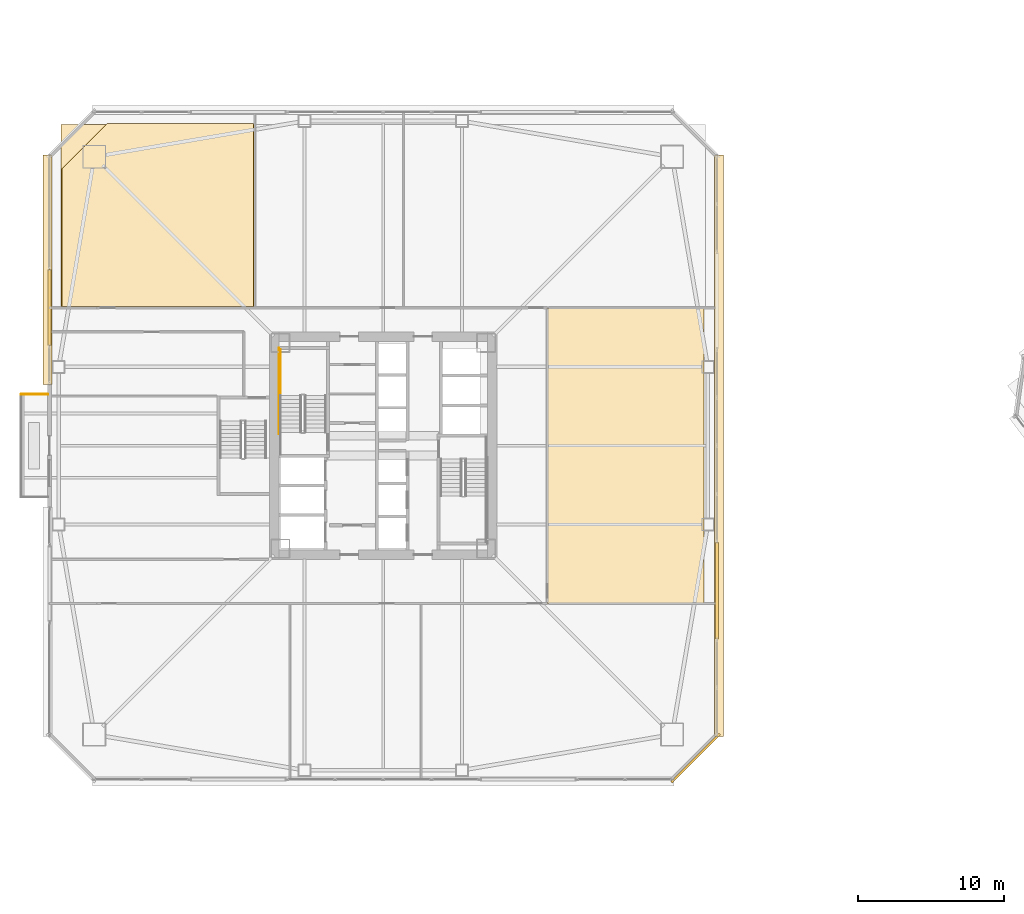
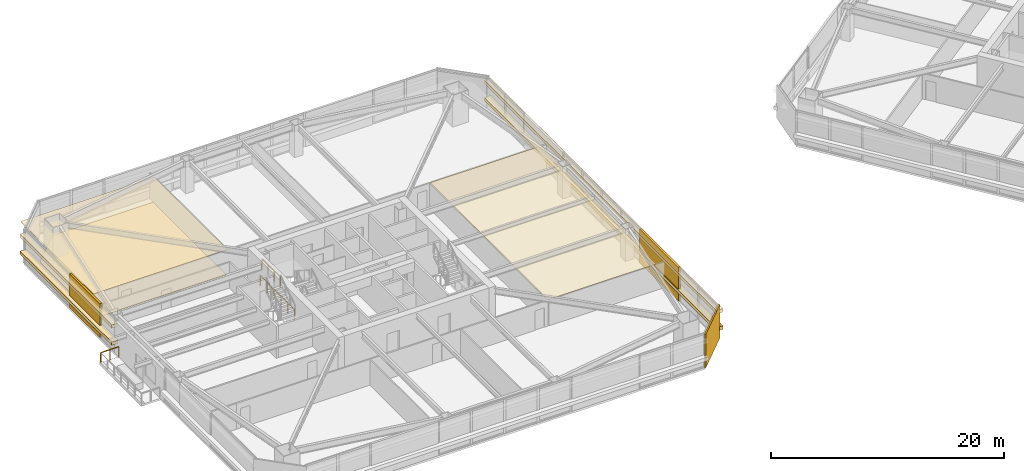
# One storey, part 42 of 47: 10 coverings, 3 railings.
"""IFC4 building model written with IfcOpenShell, lengths in metres."""

from ifc_helpers import new_model, si_unit, direction, frame, origin, origin_2d, place, context, subcontext, project, spatial, polyline, rectangle, outline, extrude, material, layer, layer_set, type_object, element, save


model = new_model("IFC4")

# Units and contexts
model_context = context("Model", 3, precision=1e-05, world=origin(), true_north=direction((0.0, 1.0)))
body_context = subcontext(model_context, "Body", "Model", "MODEL_VIEW")
ifc_project = project(units=[si_unit("LENGTHUNIT", "METRE"), si_unit("AREAUNIT", "SQUARE_METRE"), si_unit("VOLUMEUNIT", "CUBIC_METRE"), si_unit("PLANEANGLEUNIT", "RADIAN"), si_unit("MASSUNIT", "GRAM", prefix="KILO")], contexts=[model_context])

# Site, building, storey
site_placement = place(None, origin())
site = spatial("IfcSite", under=ifc_project, at=site_placement, CompositionType="ELEMENT")
building_placement = place(site_placement, origin())
building = spatial("IfcBuilding", under=site, at=building_placement, Name="Tashvorn Skyway Center", CompositionType="ELEMENT")
storey_placement = place(building_placement, frame((0.0, 0.0, 42.35009765625)))
storey = spatial("IfcBuildingStorey", under=building, at=storey_placement, Name="L10", CompositionType="ELEMENT", Elevation=42.35009765625)

# Coverings
ifc_material_1 = material(Name="Precast concrete C40/50", Category="concrete")
ifc_layer_1 = layer(ifc_material_1, 0.199951171875)
ifc_layer_set_1 = layer_set([ifc_layer_1], Name="Precast concrete C40/50")
covering_type_1 = type_object("IfcCoveringType", Name="COV-BRACE-CLAD", PredefinedType="CLADDING", material=ifc_layer_set_1)
covering_1_placement = place(storey_placement, frame((19.1201171875, 41.4599609375, 0.0), z_axis=(0.0, 0.0, 1.0), x_axis=(0.0, 1.0, 0.0)))
element("IfcCovering", 1, at=covering_1_placement, inside=storey, type_object=covering_type_1, Name="Tower 1 L10 West Curtain Wall R Mega-Brace Cladding Band 1", PredefinedType="CLADDING", context=body_context, shape_type="SweptSolid", body=[
    extrude(rectangle(XDim=5.2099609375, YDim=0.199951171875, at=origin_2d()), origin(), (0.0, 0.0, 1.0), 3.550048828125),
])
covering_2_placement = place(storey_placement, frame((64.8798828125, 22.06005859375, 0.0), z_axis=(0.0, 0.0, 1.0), x_axis=(0.0, -1.0, 0.0)))
element("IfcCovering", 2, at=covering_2_placement, inside=storey, type_object=covering_type_1, Name="Tower 1 L10 East Unitised Curtain Wall Mega-Brace Cladding Band 2", PredefinedType="CLADDING", context=body_context, shape_type="SweptSolid", body=[
    extrude(rectangle(XDim=6.626708984375, YDim=0.199951171875, at=origin_2d()), origin(), (0.0, 0.0, 1.0), 3.550048828125),
])
ifc_material_2 = material(Name="Mineral-fibre acoustic ceiling tile on suspended grid")
ifc_layer_2 = layer(ifc_material_2, 0.02001953125)
ifc_layer_set_2 = layer_set([ifc_layer_2], Name="Mineral-fibre acoustic ceiling tile on suspended grid")
covering_type_2 = type_object("IfcCoveringType", Name="COV-CEIL-20", PredefinedType="CEILING", material=ifc_layer_set_2)
covering_3_placement = place(storey_placement, frame((0.0, 0.0, 2.682861328125)))
element("IfcCovering", 3, at=covering_3_placement, inside=storey, type_object=covering_type_2, Name="Tower 1 L10 Executive Suite Acoustic Ceiling", PredefinedType="CEILING", context=body_context, shape_type="SweptSolid", body=[
    extrude(outline(polyline([(19.89990234375, 41.449951171875), (33.199951171875, 41.449951171875), (33.199951171875, 54.0), (19.89990234375, 54.0), (19.89990234375, 41.449951171875)])), origin(), (0.0, 0.0, 1.0), 0.02001953125),
])
covering_4_placement = place(storey_placement, frame((0.0, 0.0, 2.682861328125)))
element("IfcCovering", 4, at=covering_4_placement, inside=storey, type_object=covering_type_2, Name="Tower 1 L10 Executive Suite Acoustic Ceiling", PredefinedType="CEILING", context=body_context, shape_type="SweptSolid", body=[
    extrude(outline(polyline([(53.25, 21.179931640625), (64.0, 21.179931640625), (64.0, 41.449951171875), (53.25, 41.449951171875), (53.25, 21.179931640625)])), origin(), (0.0, 0.0, 1.0), 0.02001953125),
])
ifc_material_3 = material(Name="Polished Mojave desert-aggregate terrazzo and cover plate")
ifc_layer_3 = layer(ifc_material_3, 0.0400390625)
ifc_layer_set_3 = layer_set([ifc_layer_3], Name="Polished Mojave desert-aggregate terrazzo and cover plate")
covering_type_3 = type_object("IfcCoveringType", Name="COV-FLR-40", PredefinedType="FLOORING", material=ifc_layer_set_3)
covering_5_placement = place(storey_placement, origin())
element("IfcCovering", 5, at=covering_5_placement, inside=storey, type_object=covering_type_3, Name="Tower 1 L10 Executive Suite Finish Flooring", PredefinedType="FLOORING", context=body_context, shape_type="SweptSolid", body=[
    extrude(outline(polyline([(33.1201171875, 41.530029296875), (19.97998046875, 41.530029296875), (19.97998046875, 50.97998046875), (23.10009765625, 54.10009765625), (33.1201171875, 54.10009765625), (33.1201171875, 41.530029296875)])), origin(), (0.0, 0.0, 1.0), 0.039794921875),
])
ifc_material_4 = material(Name="Perforated ceramic-coated bronze aluminium solar screen", Category="aluminium")
ifc_layer_4 = layer(ifc_material_4, 0.85009765625)
ifc_layer_set_4 = layer_set([ifc_layer_4], Name="Perforated ceramic-coated bronze aluminium solar screen")
covering_type_4 = type_object("IfcCoveringType", Name="COV-SOLAR-BAND", PredefinedType="CLADDING", material=ifc_layer_set_4)
for number, where, z_axis, x_axis, name in (
    (6, (18.97998046875, 44.06494140625, 0.919921875), (0.0, 0.0, 1.0), (0.0, 1.0, 0.0), "L10 Perforated Ceramic-Metal Solar Screen Louvre Band West 1"),
    (7, (18.97998046875, 44.06494140625, 2.7197265625), (0.0, 0.0, 1.0), (0.0, 1.0, 0.0), "L10 Perforated Ceramic-Metal Solar Screen Louvre Band West 2"),
):
    element("IfcCovering", number, at=place(storey_placement, frame(where, z_axis=z_axis, x_axis=x_axis)), inside=storey, type_object=covering_type_4, Name=name, PredefinedType="CLADDING", context=body_context, shape_type="SweptSolid", body=[
        extrude(rectangle(XDim=15.75, YDim=0.639892578125, at=origin_2d()), origin(), (0.0, 0.0, 1.0), 0.360107421875),
    ])
for number, where, z_axis, x_axis, name in (
    (8, (65.02001953125, 32.0, 0.919921875), (0.0, 0.0, 1.0), (0.0, -1.0, 0.0), "L10 Perforated Ceramic-Metal Solar Screen Louvre Band East 1"),
    (9, (65.02001953125, 32.0, 2.7197265625), (0.0, 0.0, 1.0), (0.0, -1.0, 0.0), "L10 Perforated Ceramic-Metal Solar Screen Louvre Band East 2"),
):
    element("IfcCovering", number, at=place(storey_placement, frame(where, z_axis=z_axis, x_axis=x_axis)), inside=storey, type_object=covering_type_4, Name=name, PredefinedType="CLADDING", context=body_context, shape_type="SweptSolid", body=[
        extrude(rectangle(XDim=39.8798828125, YDim=0.639892578125, at=origin_2d()), origin(), (0.0, 0.0, 1.0), 0.360107421875),
    ])
ifc_layer_5 = layer(ifc_material_1, 0.35009765625)
ifc_layer_set_5 = layer_set([ifc_layer_5], Name="Precast concrete C40/50")
covering_type_5 = type_object("IfcCoveringType", Name="COV-STONE-TRIM", PredefinedType="CLADDING", material=ifc_layer_set_5)
covering_6_placement = place(storey_placement, frame((63.419921875, 10.580078125, 0.02001953125), z_axis=(0.0, 0.0, 1.0), x_axis=(0.707106781187, 0.707106781187, 0.0)))
element("IfcCovering", 10, at=covering_6_placement, inside=storey, type_object=covering_type_5, Name="Tower 1 L10 SE Mojave Limestone Corner Quoin", PredefinedType="CLADDING", context=body_context, shape_type="SweptSolid", body=[
    extrude(rectangle(XDim=4.685546875, YDim=0.139892578125, at=origin_2d()), origin(), (0.0, 0.0, 1.0), 3.510009765625),
])

# Railings
ifc_material_5 = material(Name="Galvanized steel S355", Category="steel")
railing_type_1 = type_object("IfcRailingType", Name="RAIL-GUARD-1120", PredefinedType="GUARDRAIL", material=ifc_material_5)
railing_1_placement = place(storey_placement, frame((17.179931640625, 35.52001953125, 0.0)))
element("IfcRailing", 11, at=railing_1_placement, inside=storey, type_object=railing_type_1, Name="L10 Tower 1 Terrace Guardrail 03", PredefinedType="GUARDRAIL", context=body_context, shape_type="SweptSolid", body=[
    extrude(rectangle(XDim=0.048095703125, YDim=0.048095703125, at=origin_2d()), frame((0.0, 0.0, 1.09619140625), z_axis=(1.0, 0.0, 0.0), x_axis=(0.0, 1.0, 0.0)), (0.0, 0.0, 1.0), 1.820068359375),
    extrude(rectangle(XDim=0.0419921875, YDim=0.0419921875, at=origin_2d()), origin(), (0.0, 0.0, 1.0), 1.072021484375),
    extrude(rectangle(XDim=0.0419921875, YDim=0.0419921875, at=origin_2d()), frame((0.91015625, 0.0, 0.0)), (0.0, 0.0, 1.0), 1.072021484375),
    extrude(rectangle(XDim=0.0419921875, YDim=0.0419921875, at=origin_2d()), frame((1.820068359375, 0.0, 0.0)), (0.0, 0.0, 1.0), 1.072021484375),
])
ifc_material_6 = material(Name="Painted galvanized steel S355", Category="steel")
railing_type_2 = type_object("IfcRailingType", Name="RAIL-STGUARD-1100", PredefinedType="GUARDRAIL", material=ifc_material_6)
railing_2_placement = place(storey_placement, frame((34.949951171875, 35.43994140625, 1.77490234375)))
element("IfcRailing", 12, at=railing_2_placement, inside=storey, type_object=railing_type_2, Name="L10 ST-T1-1 stair guard 3", PredefinedType="GUARDRAIL", context=body_context, shape_type="SweptSolid", body=[
    extrude(rectangle(XDim=0.048095703125, YDim=0.048095703125, at=origin_2d()), frame((0.0, 0.0, 1.076171875), z_axis=(0.0, 1.0, 0.0), x_axis=(-1.0, 0.0, 0.0)), (0.0, 0.0, 1.0), 3.16015625),
    extrude(rectangle(XDim=0.0419921875, YDim=0.0419921875, at=origin_2d()), origin(), (0.0, 0.0, 1.0), 1.052001953125),
    extrude(rectangle(XDim=0.0419921875, YDim=0.0419921875, at=origin_2d()), frame((0.0, 1.053466796875, 0.0)), (0.0, 0.0, 1.0), 1.052001953125),
    extrude(rectangle(XDim=0.0419921875, YDim=0.0419921875, at=origin_2d()), frame((0.0, 2.106689453125, 0.0)), (0.0, 0.0, 1.0), 1.052001953125),
    extrude(rectangle(XDim=0.0419921875, YDim=0.0419921875, at=origin_2d()), frame((0.0, 3.16015625, 0.0)), (0.0, 0.0, 1.0), 1.052001953125),
])
railing_3_placement = place(storey_placement, frame((34.85009765625, 32.820068359375, 0.0)))
element("IfcRailing", 13, at=railing_3_placement, inside=storey, type_object=railing_type_2, Name="L10 ST-T1-1 stair guard 7", PredefinedType="GUARDRAIL", context=body_context, shape_type="SweptSolid", body=[
    extrude(rectangle(XDim=0.048095703125, YDim=0.048095703125, at=origin_2d()), frame((0.0, 0.0, 1.076171875), z_axis=(0.0, 1.0, 0.0), x_axis=(-1.0, 0.0, 0.0)), (0.0, 0.0, 1.0), 5.8798828125),
    extrude(rectangle(XDim=0.0419921875, YDim=0.0419921875, at=origin_2d()), origin(), (0.0, 0.0, 1.0), 1.052001953125),
    extrude(rectangle(XDim=0.0419921875, YDim=0.0419921875, at=origin_2d()), frame((0.0, 1.176025390625, 0.0)), (0.0, 0.0, 1.0), 1.052001953125),
    extrude(rectangle(XDim=0.0419921875, YDim=0.0419921875, at=origin_2d()), frame((0.0, 2.35205078125, 0.0)), (0.0, 0.0, 1.0), 1.052001953125),
    extrude(rectangle(XDim=0.0419921875, YDim=0.0419921875, at=origin_2d()), frame((0.0, 3.52783203125, 0.0)), (0.0, 0.0, 1.0), 1.052001953125),
    extrude(rectangle(XDim=0.0419921875, YDim=0.0419921875, at=origin_2d()), frame((0.0, 4.703857421875, 0.0)), (0.0, 0.0, 1.0), 1.052001953125),
    extrude(rectangle(XDim=0.0419921875, YDim=0.0419921875, at=origin_2d()), frame((0.0, 5.8798828125, 0.0)), (0.0, 0.0, 1.0), 1.052001953125),
])

save(model, "model.ifc")
